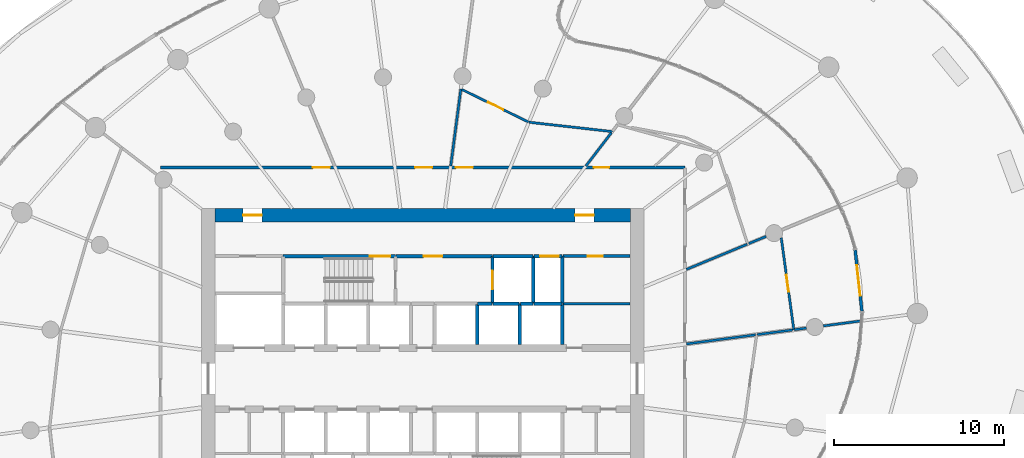
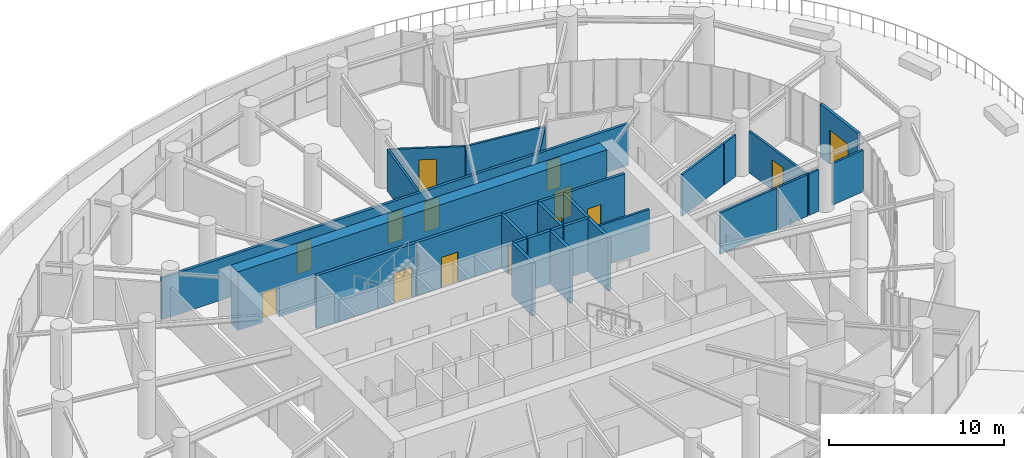
# One storey, part 18 of 24: 30 walls, 14 doors, 14 openings.
"""IFC4 building model written with IfcOpenShell, lengths in metres."""

import ifcopenshell
import ifcopenshell.guid

model = None  # the IFC model being written
_history = None  # IfcOwnerHistory: only IFC2X3 demands one
_inside = {}  # id of a spatial element -> (the spatial element, [elements in it])
_under = {}  # id of a project, library or spatial element -> (it, [spatial elements below it])
_declared = {}  # id of a project -> (the project, [libraries it declares])
_typed = {}  # id of a type object -> (the type object, [elements of that type])
_made_of = {}  # id of a material, layer set ... -> (it, [elements and type objects made of it])


def new_model(schema):
    """Start an empty IFC model of exactly this schema.

    Asked for "IFC4X3", IfcOpenShell would pick the latest addendum, in which some entities
    have other attributes; the version numbers below select the first issue.
    IFC2X3 requires an IfcOwnerHistory on every rooted entity: one is made here for all.
    """
    global model, _history
    if schema == "IFC4X3":
        model = ifcopenshell.file(schema_version=(4, 3, 0, 0))
    else:
        model = ifcopenshell.file(schema=schema)
    _inside.clear()
    _under.clear()
    _declared.clear()
    _typed.clear()
    _made_of.clear()
    _history = None
    if model.schema == "IFC2X3":
        org = make("IfcOrganization", Name="unknown")
        user = make(
            "IfcPersonAndOrganization",
            ThePerson=make("IfcPerson", FamilyName="unknown"),
            TheOrganization=org,
        )
        app = make(
            "IfcApplication",
            ApplicationDeveloper=org,
            Version="unknown",
            ApplicationFullName="unknown",
            ApplicationIdentifier="unknown",
        )
        _history = make(
            "IfcOwnerHistory",
            OwningUser=user,
            OwningApplication=app,
            ChangeAction="ADDED",
            CreationDate=0,
        )
    return model


def make(cls, **values):
    """One entity of the class cls with the attributes given. An attribute that is None is left unset."""
    return model.create_entity(
        cls, **{name: value for name, value in values.items() if value is not None}
    )


def rooted(cls, **values):
    """An entity with a GlobalId (a new one), such as an element, a storey or a relation."""
    return make(cls, GlobalId=ifcopenshell.guid.new(), OwnerHistory=_history, **values)


def si_unit(unit_type, name, prefix=None):
    """IfcSIUnit, for example si_unit("LENGTHUNIT", "METRE", prefix="MILLI")."""
    return make("IfcSIUnit", UnitType=unit_type, Prefix=prefix, Name=name)


def assignment(units):
    """IfcUnitAssignment: the units of a project."""
    return None if units is None else make("IfcUnitAssignment", Units=units)


def point(xyz):
    """IfcCartesianPoint."""
    return None if xyz is None else make("IfcCartesianPoint", Coordinates=xyz)


def direction(xyz):
    """IfcDirection."""
    return None if xyz is None else make("IfcDirection", DirectionRatios=xyz)


def frame(location, z_axis=None, x_axis=None):
    """IfcAxis2Placement3D, a coordinate frame: its origin and axes. An axis left out is left unset."""
    return make(
        "IfcAxis2Placement3D",
        Location=point(location),
        Axis=direction(z_axis),
        RefDirection=direction(x_axis),
    )


def frame_2d(location, x_axis=None):
    """IfcAxis2Placement2D, a coordinate frame in the plane: its origin and x axis."""
    return make(
        "IfcAxis2Placement2D", Location=point(location), RefDirection=direction(x_axis)
    )


def origin():
    """The frame at (0, 0, 0) with its axes left unset."""
    return frame((0.0, 0.0, 0.0))


def place(relative_to, where):
    """IfcLocalPlacement: puts the frame where relative to a parent placement (None: the world)."""
    return make(
        "IfcLocalPlacement", PlacementRelTo=relative_to, RelativePlacement=where
    )


def context(
    kind, dimensions, precision=None, world=None, true_north=None, identifier=None
):
    """IfcGeometricRepresentationContext, for example the 3D "Model" context."""
    return make(
        "IfcGeometricRepresentationContext",
        ContextIdentifier=identifier,
        ContextType=kind,
        CoordinateSpaceDimension=dimensions,
        Precision=precision,
        WorldCoordinateSystem=world,
        TrueNorth=true_north,
    )


def subcontext(parent, identifier, kind, view, scale=None):
    """IfcGeometricRepresentationSubContext, for example "Body" below "Model"."""
    return make(
        "IfcGeometricRepresentationSubContext",
        ContextIdentifier=identifier,
        ContextType=kind,
        ParentContext=parent,
        TargetScale=scale,
        TargetView=view,
    )


def project(units=None, contexts=None):
    """IfcProject with its units and contexts."""
    return rooted(
        "IfcProject",
        Name="project",
        RepresentationContexts=contexts,
        UnitsInContext=assignment(units),
    )


def spatial(cls, under=None, at=None, **own):
    """A site, building, storey or space (cls), placed at a placement, below another one or the project."""
    s = rooted(cls, ObjectPlacement=at, **own)
    if under is not None:
        _under.setdefault(under.id(), (under, []))[1].append(s)
    return s


def profile(cls, at=None, kind="AREA", **sizes):
    """A parametric profile (cls). Its sizes go by their IFC names, for example OverallWidth=200.0."""
    return make(cls, ProfileType=kind, Position=at, **sizes)


def rectangle(**sizes):
    """IfcRectangleProfileDef."""
    return profile("IfcRectangleProfileDef", **sizes)


def extrude(swept, where, along, depth):
    """IfcExtrudedAreaSolid: the profile swept, set in the frame where, extruded along a direction by depth."""
    return make(
        "IfcExtrudedAreaSolid",
        SweptArea=swept,
        Position=where,
        ExtrudedDirection=direction(along),
        Depth=depth,
    )


def shape(context_of_items, identifier, shape_type, items):
    """IfcShapeRepresentation: the items that make up one representation, for example the "Body"."""
    return make(
        "IfcShapeRepresentation",
        ContextOfItems=context_of_items,
        RepresentationIdentifier=identifier,
        RepresentationType=shape_type,
        Items=items,
    )


def source(mapping_origin, context_of_items, identifier, shape_type, items):
    """IfcRepresentationMap: a shape defined once, which mapped items show again and again."""
    return make(
        "IfcRepresentationMap",
        MappingOrigin=mapping_origin,
        MappedRepresentation=shape(context_of_items, identifier, shape_type, items),
    )


def transform(
    local_origin,
    x_axis=None,
    y_axis=None,
    z_axis=None,
    scale=None,
    scale2=None,
    scale3=None,
    uniform=True,
):
    """IfcCartesianTransformationOperator3D, or its non-uniform kind. x_axis, y_axis, z_axis: its Axis1, 2, 3."""
    if uniform:
        return make(
            "IfcCartesianTransformationOperator3D",
            Axis1=direction(x_axis),
            Axis2=direction(y_axis),
            LocalOrigin=point(local_origin),
            Scale=scale,
            Axis3=direction(z_axis),
        )
    return make(
        "IfcCartesianTransformationOperator3DnonUniform",
        Axis1=direction(x_axis),
        Axis2=direction(y_axis),
        LocalOrigin=point(local_origin),
        Scale=scale,
        Axis3=direction(z_axis),
        Scale2=scale2,
        Scale3=scale3,
    )


def mapped(mapping_source, mapping_target):
    """IfcMappedItem: shows the shape of a source again, moved by a transform."""
    return make(
        "IfcMappedItem", MappingSource=mapping_source, MappingTarget=mapping_target
    )


def material(Name=None, Category=None):
    """IfcMaterial."""
    return make("IfcMaterial", Name=Name, Category=Category)


def layer(
    of_material, thickness, ventilated=None, Name=None, Category=None, Priority=None
):
    """IfcMaterialLayer: one layer of a wall or slab, of a material (None: an air gap)."""
    return make(
        "IfcMaterialLayer",
        Material=of_material,
        LayerThickness=thickness,
        IsVentilated=ventilated,
        Name=Name,
        Category=Category,
        Priority=Priority,
    )


def layer_set(layers, Name=None):
    """IfcMaterialLayerSet."""
    return make("IfcMaterialLayerSet", MaterialLayers=layers, LayerSetName=Name)


def made_of(thing, what):
    """Note that an element or type object is made of a material, layer set ...; save() writes the relation."""
    if what is not None:
        _made_of.setdefault(what.id(), (what, []))[1].append(thing)
    return thing


def type_object(cls, material=None, **own):
    """A type object (cls), such as IfcWallType, which elements share."""
    return made_of(rooted(cls, **own), material)


def element(
    cls,
    number,
    at=None,
    inside=None,
    cuts=None,
    type_object=None,
    material=None,
    context=None,
    identifier="Body",
    shape_type=None,
    held_by="IfcProductDefinitionShape",
    body=None,
    shapes=None,
    **own,
):
    """One element of the class cls, such as IfcWall. Its Tag is "e" and its number.

    at: its placement. inside: the storey or other place that contains it. cuts: it is an
    opening in that element (IfcRelVoidsElement). A single representation is given by context,
    identifier, shape_type and body (its items); several are given by shapes. held_by: the class
    of the entity that holds the representations. save() writes the other relations.
    """
    e = rooted(cls, Tag="e%d" % number, ObjectPlacement=at, **own)
    if body is not None:
        shapes = [shape(context, identifier, shape_type, body)]
    if shapes is not None:
        e.Representation = make(held_by, Representations=shapes)
    if inside is not None:
        _inside.setdefault(inside.id(), (inside, []))[1].append(e)
    if cuts is not None:
        rooted(
            "IfcRelVoidsElement", RelatingBuildingElement=cuts, RelatedOpeningElement=e
        )
    if type_object is not None:
        _typed.setdefault(type_object.id(), (type_object, []))[1].append(e)
    return made_of(e, material)


def fill(opening, filler):
    """IfcRelFillsElement: the door or window that sits in an opening."""
    return rooted(
        "IfcRelFillsElement",
        RelatingOpeningElement=opening,
        RelatedBuildingElement=filler,
    )


def aggregate(whole, parts):
    """IfcRelAggregates: a whole, such as a stair, and the parts it consists of."""
    return rooted("IfcRelAggregates", RelatingObject=whole, RelatedObjects=parts)


def save(model, path):
    """Write the relations noted so far, then the file.

    IfcRelAggregates (storeys below a building ...), IfcRelContainedInSpatialStructure (elements
    in a storey), IfcRelDefinesByType, IfcRelAssociatesMaterial and IfcRelDeclares: one each for
    every whole, place, type object, material and project.
    """
    for whole, parts in _under.values():
        aggregate(whole, parts)
    for where, things in _inside.values():
        rooted(
            "IfcRelContainedInSpatialStructure",
            RelatedElements=things,
            RelatingStructure=where,
        )
    for kind, things in _typed.values():
        rooted("IfcRelDefinesByType", RelatedObjects=things, RelatingType=kind)
    for what, things in _made_of.values():
        rooted("IfcRelAssociatesMaterial", RelatedObjects=things, RelatingMaterial=what)
    for by, libraries in _declared.values():
        rooted("IfcRelDeclares", RelatingContext=by, RelatedDefinitions=libraries)
    model.write(path)


model = new_model("IFC4")

# Units and contexts
model_context = context("Model", 3, precision=1e-05, world=origin(), true_north=direction((0.0, 1.0)))
body_context = subcontext(model_context, "Body", "Model", "MODEL_VIEW")
ifc_project = project(units=[si_unit("LENGTHUNIT", "METRE"), si_unit("AREAUNIT", "SQUARE_METRE"), si_unit("VOLUMEUNIT", "CUBIC_METRE"), si_unit("PLANEANGLEUNIT", "RADIAN"), si_unit("MASSUNIT", "GRAM", prefix="KILO")], contexts=[model_context])

# Site, building, storey
site_placement = place(None, origin())
site = spatial("IfcSite", under=ifc_project, at=site_placement, CompositionType="ELEMENT")
building_placement = place(site_placement, origin())
building = spatial("IfcBuilding", under=site, at=building_placement, Name="Spindrift Exchange Tower", CompositionType="ELEMENT")
storey_placement = place(building_placement, frame((0.0, 0.0, 79.800048828125)))
storey = spatial("IfcBuildingStorey", under=building, at=storey_placement, Name="L18", CompositionType="ELEMENT", Elevation=79.800048828125)

# Wall, openings, doors
ifc_material_1 = material(Name="Concrete 65 MPa", Category="concrete")
ifc_layer_1 = layer(ifc_material_1, 0.800048828125)
ifc_layer_set_1 = layer_set([ifc_layer_1], Name="RC Core Wall 800 Concrete 65 MPa")
wall_type_1 = type_object("IfcWallType", Name="RC Core Wall 800 Concrete 65 MPa", PredefinedType="SHEAR", material=ifc_layer_set_1)
wall_1_placement = place(storey_placement, frame((64.199951171875, 57.60009765625, 0.0), z_axis=(0.0, 0.0, 1.0), x_axis=(-1.0, 0.0, 0.0)))
wall_1 = element("IfcWall", 1, at=wall_1_placement, inside=storey, type_object=wall_type_1, Name="Core wall N L18", PredefinedType="SHEAR", context=body_context, shape_type="SweptSolid", body=[
    extrude(rectangle(XDim=24.39990234375, YDim=0.800048828125, at=frame_2d((12.199951171875, 0.0))), origin(), (0.0, 0.0, 1.0), 4.099853515625),
])
opening_1_placement = place(wall_1_placement, frame((21.64990234375, 0.0, 0.0)))
opening_1 = element("IfcOpeningElement", 2, at=opening_1_placement, cuts=wall_1, Name="Opening L18-D20", PredefinedType="OPENING", context=body_context, shape_type="SweptSolid", body=[
    extrude(rectangle(XDim=1.10009765625, YDim=2.10009765625, at=frame_2d((0.550048828125, 1.050048828125))), frame((0.0, 0.409912109375, 0.0), z_axis=(0.0, -1.0, 0.0), x_axis=(1.0, 0.0, 0.0)), (0.0, 0.0, 1.0), 0.820068359375),
])
opening_2_placement = place(wall_1_placement, frame((2.14990234375, 0.0, 0.0)))
opening_2 = element("IfcOpeningElement", 3, at=opening_2_placement, cuts=wall_1, Name="Opening L18-D21", PredefinedType="OPENING", context=body_context, shape_type="SweptSolid", body=[
    extrude(rectangle(XDim=1.10009765625, YDim=2.10009765625, at=frame_2d((0.550048828125, 1.050048828125))), frame((0.0, 0.409912109375, 0.0), z_axis=(0.0, -1.0, 0.0), x_axis=(1.0, 0.0, 0.0)), (0.0, 0.0, 1.0), 0.820068359375),
])
ifc_material_2 = material(Name="Steel fire door", Category="steel")
door_type_1 = type_object("IfcDoorType", Name="DR-STAIR-1100", OperationType="NOTDEFINED", PredefinedType="DOOR", material=ifc_material_2)
shared_shape_1 = source(origin(), body_context, "Body", "SweptSolid", [
    extrude(rectangle(XDim=1.10009765625, YDim=2.10009765625, at=frame_2d((0.550048828125, 1.050048828125))), frame((0.0, 0.02490234375, 0.0), z_axis=(0.0, -1.0, 0.0), x_axis=(1.0, 0.0, 0.0)), (0.0, 0.0, 1.0), 0.050048828125),
])
door_1_placement = place(opening_1_placement, origin())
door_1 = element("IfcDoor", 4, at=door_1_placement, inside=storey, type_object=door_type_1, Name="L18 Stair door 20", OperationType="SINGLE_SWING_LEFT", OverallHeight=2.10009765625, OverallWidth=1.10009765625, PredefinedType="DOOR", context=body_context, shape_type="MappedRepresentation", body=[
    mapped(shared_shape_1, transform((0.0, 0.0, 0.0), scale=1.0)),
])
fill(opening_1, door_1)
door_2_placement = place(opening_2_placement, origin())
door_2 = element("IfcDoor", 5, at=door_2_placement, inside=storey, type_object=door_type_1, Name="L18 Stair door 21", OperationType="SINGLE_SWING_RIGHT", OverallHeight=2.10009765625, OverallWidth=1.10009765625, PredefinedType="DOOR", context=body_context, shape_type="MappedRepresentation", body=[
    mapped(shared_shape_1, transform((0.0, 0.0, 0.0), scale=1.0)),
])
fill(opening_2, door_2)

# Wall, opening, door
ifc_material_3 = material(Name="Bronze anodised aluminium frame with fritted laminated glass spandrel", Category="aluminium")
ifc_layer_2 = layer(ifc_material_3, 0.179931640625)
ifc_layer_set_2 = layer_set([ifc_layer_2], Name="UNITISED FRAME WALL")
wall_type_2 = type_object("IfcWallType", Name="UNITISED FRAME WALL", PredefinedType="STANDARD", material=ifc_layer_set_2)
wall_2_placement = place(storey_placement, frame((77.7998046875, 51.961181640625, 0.0), z_axis=(0.0, 0.0, 1.0), x_axis=(-0.10929323905, 0.994009551211, 0.0)))
wall_2 = element("IfcWall", 6, at=wall_2_placement, inside=storey, type_object=wall_type_2, Name="L18 Frame Wall 52", PredefinedType="STANDARD", context=body_context, shape_type="SweptSolid", body=[
    extrude(rectangle(XDim=3.62548828125, YDim=0.179931640625, at=frame_2d((1.812744140625, 0.0))), origin(), (0.0, 0.0, 1.0), 3.699951171875),
])
opening_3_placement = place(wall_2_placement, frame((0.91259765625, 0.0, 0.0)))
opening_3 = element("IfcOpeningElement", 7, at=opening_3_placement, cuts=wall_2, Name="Opening ED18-1", PredefinedType="OPENING", context=body_context, shape_type="SweptSolid", body=[
    extrude(rectangle(XDim=1.800048828125, YDim=2.39990234375, at=frame_2d((0.89990234375, 1.199951171875))), frame((0.0, 0.099853515625, 0.0), z_axis=(0.0, -1.0, 0.0), x_axis=(1.0, 0.0, 0.0)), (0.0, 0.0, 1.0), 0.199951171875),
])
ifc_material_4 = material(Name="Toughened laminated glass in bronze frame", Category="glass")
door_type_2 = type_object("IfcDoorType", Name="TERRACE GLASS DOOR 1800X2400", OperationType="DOUBLE_DOOR_SINGLE_SWING", PredefinedType="DOOR", material=ifc_material_4)
shared_shape_2 = source(origin(), body_context, "Body", "SweptSolid", [
    extrude(rectangle(XDim=1.800048828125, YDim=2.39990234375, at=frame_2d((0.89990234375, 1.199951171875))), frame((0.0, 0.02490234375, 0.0), z_axis=(0.0, -1.0, 0.0), x_axis=(1.0, 0.0, 0.0)), (0.0, 0.0, 1.0), 0.050048828125),
])
door_3_placement = place(opening_3_placement, origin())
door_3 = element("IfcDoor", 8, at=door_3_placement, inside=storey, type_object=door_type_2, Name="L18 Terrace Glass Door ED18-1", OperationType="DOUBLE_DOOR_SINGLE_SWING", OverallHeight=2.39990234375, OverallWidth=1.800048828125, PredefinedType="DOOR", context=body_context, shape_type="MappedRepresentation", body=[
    mapped(shared_shape_2, transform((0.0, 0.0, 0.0), scale=1.0)),
])
fill(opening_3, door_3)

ifc_material_5 = material(Name="Fire-rated plasterboard partition", Category="gypsum")
ifc_layer_3 = layer(ifc_material_5, 0.179931640625)
ifc_layer_set_3 = layer_set([ifc_layer_3], Name="W-CORR-180")
wall_type_3 = type_object("IfcWallType", Name="W-CORR-180", PredefinedType="PARTITIONING", material=ifc_layer_set_3)
wall_3_placement = place(storey_placement, frame((64.179931640625, 55.199951171875, 0.0), z_axis=(0.0, 0.0, 1.0), x_axis=(-1.0, 0.0, 0.0)))
wall_3 = element("IfcWall", 9, at=wall_3_placement, inside=storey, type_object=wall_type_3, Name="L18 Partition wall 62", PredefinedType="PARTITIONING", context=body_context, shape_type="SweptSolid", body=[
    extrude(rectangle(XDim=3.949951171875, YDim=0.179931640625, at=frame_2d((1.97509765625, 0.0))), origin(), (0.0, 0.0, 1.0), 3.699951171875),
])
opening_4_placement = place(wall_3_placement, frame((1.60009765625, 0.0, 0.0)))
opening_4 = element("IfcOpeningElement", 10, at=opening_4_placement, cuts=wall_3, Name="Opening L18-D50", PredefinedType="OPENING", context=body_context, shape_type="SweptSolid", body=[
    extrude(rectangle(XDim=0.89990234375, YDim=2.10009765625, at=frame_2d((0.449951171875, 1.050048828125))), frame((0.0, 0.099853515625, 0.0), z_axis=(0.0, -1.0, 0.0), x_axis=(1.0, 0.0, 0.0)), (0.0, 0.0, 1.0), 0.199951171875),
])
ifc_material_6 = material(Name="Steel access door", Category="steel")
door_type_3 = type_object("IfcDoorType", Name="DR-RISER-900", OperationType="NOTDEFINED", PredefinedType="DOOR", material=ifc_material_6)
shared_shape_3 = source(origin(), body_context, "Body", "SweptSolid", [
    extrude(rectangle(XDim=0.89990234375, YDim=2.10009765625, at=frame_2d((0.449951171875, 1.050048828125))), frame((0.0, 0.02490234375, 0.0), z_axis=(0.0, -1.0, 0.0), x_axis=(1.0, 0.0, 0.0)), (0.0, 0.0, 1.0), 0.050048828125),
])
door_4_placement = place(opening_4_placement, origin())
door_4 = element("IfcDoor", 11, at=door_4_placement, inside=storey, type_object=door_type_3, Name="L18 Riser door 50", OperationType="SINGLE_SWING_LEFT", OverallHeight=2.10009765625, OverallWidth=0.89990234375, PredefinedType="DOOR", context=body_context, shape_type="MappedRepresentation", body=[
    mapped(shared_shape_3, transform((0.0, 0.0, 0.0), scale=1.0)),
])
fill(opening_4, door_4)

ifc_layer_4 = layer(ifc_material_5, 0.139892578125)
ifc_layer_set_4 = layer_set([ifc_layer_4], Name="W-PART-140")
wall_type_4 = type_object("IfcWallType", Name="W-PART-140", PredefinedType="PARTITIONING", material=ifc_layer_set_4)
wall_4_placement = place(storey_placement, frame((73.062744140625, 56.2744140625, 0.0), z_axis=(0.0, 0.0, 1.0), x_axis=(0.135089235219, -0.990833436319, 0.0)))
wall_4 = element("IfcWall", 12, at=wall_4_placement, inside=storey, type_object=wall_type_4, Name="L18 Partition wall 81", PredefinedType="PARTITIONING", context=body_context, shape_type="SweptSolid", body=[
    extrude(rectangle(XDim=5.454345703125, YDim=0.139892578125, at=frame_2d((2.72705078125, 0.0))), origin(), (0.0, 0.0, 1.0), 2.89990234375),
])
opening_5_placement = place(wall_4_placement, frame((2.204345703125, 0.0, 0.0)))
opening_5 = element("IfcOpeningElement", 13, at=opening_5_placement, cuts=wall_4, Name="Opening L18-D25", PredefinedType="OPENING", context=body_context, shape_type="SweptSolid", body=[
    extrude(rectangle(XDim=1.0, YDim=2.10009765625, at=frame_2d((0.5, 1.050048828125))), frame((0.0, 0.079833984375, 0.0), z_axis=(0.0, -1.0, 0.0), x_axis=(1.0, 0.0, 0.0)), (0.0, 0.0, 1.0), 0.159912109375),
])
ifc_material_7 = material(Name="Timber-core fire door", Category="wood")
door_type_4 = type_object("IfcDoorType", Name="DR-ROOM-1000", OperationType="NOTDEFINED", PredefinedType="DOOR", material=ifc_material_7)
shared_shape_4 = source(origin(), body_context, "Body", "SweptSolid", [
    extrude(rectangle(XDim=1.0, YDim=2.10009765625, at=frame_2d((0.5, 1.050048828125))), frame((0.0, 0.02490234375, 0.0), z_axis=(0.0, -1.0, 0.0), x_axis=(1.0, 0.0, 0.0)), (0.0, 0.0, 1.0), 0.050048828125),
])
door_5_placement = place(opening_5_placement, origin())
door_5 = element("IfcDoor", 14, at=door_5_placement, inside=storey, type_object=door_type_4, Name="L18 Door 25", OperationType="SINGLE_SWING_RIGHT", OverallHeight=2.10009765625, OverallWidth=1.0, PredefinedType="DOOR", context=body_context, shape_type="MappedRepresentation", body=[
    mapped(shared_shape_4, transform((0.0, 0.0, 0.0), scale=1.0)),
])
fill(opening_5, door_5)

# Wall
wall_5_placement = place(storey_placement, frame((63.13623046875, 62.51318359375, 0.0), z_axis=(0.0, 0.0, 1.0), x_axis=(-0.993761689461, 0.111524457223, 0.0)))
element("IfcWall", 15, at=wall_5_placement, inside=storey, type_object=wall_type_4, Name="L18 Partition wall 85", PredefinedType="PARTITIONING", context=body_context, shape_type="SweptSolid", body=[
    extrude(rectangle(XDim=4.927734375, YDim=0.139892578125, at=frame_2d((2.4638671875, 0.0))), origin(), (0.0, 0.0, 1.0), 2.89990234375),
])

# Wall, opening, door
wall_6_placement = place(storey_placement, frame((54.306396484375, 64.982177734375, 0.0), z_axis=(0.0, 0.0, 1.0), x_axis=(0.898688532704, -0.438587415673, 0.0)))
wall_6 = element("IfcWall", 16, at=wall_6_placement, inside=storey, type_object=wall_type_4, Name="L18 Partition wall 89", PredefinedType="PARTITIONING", context=body_context, shape_type="SweptSolid", body=[
    extrude(rectangle(XDim=4.346435546875, YDim=0.139892578125, at=frame_2d((2.17333984375, 0.0))), origin(), (0.0, 0.0, 1.0), 2.89990234375),
])
opening_6_placement = place(wall_6_placement, frame((1.6962890625, 0.0, 0.0)))
opening_6 = element("IfcOpeningElement", 17, at=opening_6_placement, cuts=wall_6, Name="Opening L18-D30", PredefinedType="OPENING", context=body_context, shape_type="SweptSolid", body=[
    extrude(rectangle(XDim=1.0, YDim=2.10009765625, at=frame_2d((0.5, 1.050048828125))), frame((0.0, 0.079833984375, 0.0), z_axis=(0.0, -1.0, 0.0), x_axis=(1.0, 0.0, 0.0)), (0.0, 0.0, 1.0), 0.159912109375),
])
door_6_placement = place(opening_6_placement, origin())
door_6 = element("IfcDoor", 18, at=door_6_placement, inside=storey, type_object=door_type_4, Name="L18 Door 30", OperationType="SINGLE_SWING_LEFT", OverallHeight=2.10009765625, OverallWidth=1.0, PredefinedType="DOOR", context=body_context, shape_type="MappedRepresentation", body=[
    mapped(shared_shape_4, transform((0.0, 0.0, 0.0), scale=1.0)),
])
fill(opening_6, door_6)

# Walls
wall_7_placement = place(storey_placement, frame((67.489990234375, 50.039306640625, 0.0), z_axis=(0.0, 0.0, 1.0), x_axis=(0.991443931676, 0.130533253782, 0.0)))
element("IfcWall", 19, at=wall_7_placement, inside=storey, type_object=wall_type_4, Name="L18 Partition wall 90", PredefinedType="PARTITIONING", context=body_context, shape_type="SweptSolid", body=[
    extrude(rectangle(XDim=4.09033203125, YDim=0.139892578125, at=frame_2d((2.045166015625, 0.0))), origin(), (0.0, 0.0, 1.0), 2.89990234375),
])
wall_8_placement = place(storey_placement, frame((67.489990234375, 54.416259765625, 0.0), z_axis=(0.0, 0.0, 1.0), x_axis=(0.92389520363, 0.382645596745, 0.0)))
element("IfcWall", 20, at=wall_8_placement, inside=storey, type_object=wall_type_4, Name="L18 Partition wall 91", PredefinedType="PARTITIONING", context=body_context, shape_type="SweptSolid", body=[
    extrude(rectangle(XDim=3.865234375, YDim=0.139892578125, at=frame_2d((1.9326171875, 0.0))), origin(), (0.0, 0.0, 1.0), 2.89990234375),
])
wall_9_placement = place(storey_placement, frame((64.179931640625, 52.39990234375, 0.0), z_axis=(0.0, 0.0, 1.0), x_axis=(-1.0, 0.0, 0.0)))
element("IfcWall", 21, at=wall_9_placement, inside=storey, type_object=wall_type_4, Name="L18 Partition wall 92", PredefinedType="PARTITIONING", context=body_context, shape_type="SweptSolid", body=[
    extrude(rectangle(XDim=3.949951171875, YDim=0.139892578125, at=frame_2d((1.97509765625, 0.0))), origin(), (0.0, 0.0, 1.0), 2.89990234375),
])
wall_10_placement = place(storey_placement, frame((61.583984375, 60.489990234375, 0.0), z_axis=(0.0, 0.0, 1.0), x_axis=(0.608715994439, 0.793388201396, 0.0)))
element("IfcWall", 22, at=wall_10_placement, inside=storey, type_object=wall_type_4, Name="L18 Partition wall 99", PredefinedType="PARTITIONING", context=body_context, shape_type="SweptSolid", body=[
    extrude(rectangle(XDim=2.46826171875, YDim=0.139892578125, at=frame_2d((1.234130859375, 0.0))), origin(), (0.0, 0.0, 1.0), 2.89990234375),
])
wall_11_placement = place(storey_placement, frame((75.533935546875, 51.098388671875, 0.0), z_axis=(0.0, 0.0, 1.0), x_axis=(0.991455425265, 0.130445926391, 0.0)))
element("IfcWall", 23, at=wall_11_placement, inside=storey, type_object=wall_type_4, Name="L18 Partition wall 103", PredefinedType="PARTITIONING", context=body_context, shape_type="SweptSolid", body=[
    extrude(rectangle(XDim=2.20654296875, YDim=0.139892578125, at=frame_2d((1.103271484375, 0.0))), origin(), (0.0, 0.0, 1.0), 2.89990234375),
])
wall_12_placement = place(storey_placement, frame((71.647216796875, 50.586669921875, 0.0), z_axis=(0.0, 0.0, 1.0), x_axis=(0.991446778165, 0.130511631917, 0.0)))
element("IfcWall", 24, at=wall_12_placement, inside=storey, type_object=wall_type_4, Name="L18 Partition wall 104", PredefinedType="PARTITIONING", context=body_context, shape_type="SweptSolid", body=[
    extrude(rectangle(XDim=2.100830078125, YDim=0.139892578125, at=frame_2d((1.05029296875, 0.0))), origin(), (0.0, 0.0, 1.0), 2.89990234375),
])
wall_13_placement = place(storey_placement, frame((71.153564453125, 55.93359375, 0.0), z_axis=(0.0, 0.0, 1.0), x_axis=(0.923873851787, 0.382697146559, 0.0)))
element("IfcWall", 25, at=wall_13_placement, inside=storey, type_object=wall_type_4, Name="L18 Partition wall 116", PredefinedType="PARTITIONING", context=body_context, shape_type="SweptSolid", body=[
    extrude(rectangle(XDim=1.10302734375, YDim=0.139892578125, at=frame_2d((0.551513671875, 0.0))), origin(), (0.0, 0.0, 1.0), 2.89990234375),
])
wall_14_placement = place(storey_placement, frame((73.829345703125, 50.873779296875, 0.0), z_axis=(0.0, 0.0, 1.0), x_axis=(0.991436741362, 0.130587855015, 0.0)))
element("IfcWall", 26, at=wall_14_placement, inside=storey, type_object=wall_type_4, Name="L18 Partition wall 125", PredefinedType="PARTITIONING", context=body_context, shape_type="SweptSolid", body=[
    extrude(rectangle(XDim=0.71044921875, YDim=0.139892578125, at=frame_2d((0.355224609375, 0.0))), origin(), (0.0, 0.0, 1.0), 2.89990234375),
])
ifc_layer_5 = layer(ifc_material_5, 0.139892578125)
ifc_layer_set_5 = layer_set([ifc_layer_5], Name="W-PLANT-140")
wall_type_5 = type_object("IfcWallType", Name="W-PLANT-140", PredefinedType="PARTITIONING", material=ifc_layer_set_5)
wall_15_placement = place(storey_placement, frame((53.644287109375, 60.489990234375, 0.0), z_axis=(0.0, 0.0, 1.0), x_axis=(0.130530623125, 0.991444278024, 0.0)))
element("IfcWall", 27, at=wall_15_placement, inside=storey, type_object=wall_type_5, Name="L18 Partition wall 87", PredefinedType="PARTITIONING", context=body_context, shape_type="SweptSolid", body=[
    extrude(rectangle(XDim=4.563720703125, YDim=0.139892578125, at=frame_2d((2.28173828125, 0.0))), origin(), (0.0, 0.0, 1.0), 2.89990234375),
])

# Wall, openings, doors
ifc_layer_6 = layer(ifc_material_5, 0.179931640625)
ifc_layer_set_6 = layer_set([ifc_layer_6], Name="W-PLANT-180")
wall_type_6 = type_object("IfcWallType", Name="W-PLANT-180", PredefinedType="PARTITIONING", material=ifc_layer_set_6)
wall_16_placement = place(storey_placement, frame((36.60009765625, 60.39990234375, 0.0), z_axis=(0.0, 0.0, 1.0), x_axis=(1.0, 0.0, 0.0)))
wall_16 = element("IfcWall", 28, at=wall_16_placement, inside=storey, type_object=wall_type_6, Name="L18 Partition wall 58", PredefinedType="PARTITIONING", context=body_context, shape_type="SweptSolid", body=[
    extrude(rectangle(XDim=30.7998046875, YDim=0.179931640625, at=frame_2d((15.39990234375, 0.0))), origin(), (0.0, 0.0, 1.0), 2.89990234375),
])
opening_7_placement = place(wall_16_placement, frame((25.449951171875, 0.0, 0.0)))
opening_7 = element("IfcOpeningElement", 29, at=opening_7_placement, cuts=wall_16, Name="Opening L18-D28", PredefinedType="OPENING", context=body_context, shape_type="SweptSolid", body=[
    extrude(rectangle(XDim=0.89990234375, YDim=2.10009765625, at=frame_2d((0.449951171875, 1.050048828125))), frame((0.0, 0.099853515625, 0.0), z_axis=(0.0, -1.0, 0.0), x_axis=(1.0, 0.0, 0.0)), (0.0, 0.0, 1.0), 0.199951171875),
])
opening_8_placement = place(wall_16_placement, frame((17.35009765625, 0.0, 0.0)))
opening_8 = element("IfcOpeningElement", 30, at=opening_8_placement, cuts=wall_16, Name="Opening L18-D29", PredefinedType="OPENING", context=body_context, shape_type="SweptSolid", body=[
    extrude(rectangle(XDim=1.0, YDim=2.10009765625, at=frame_2d((0.5, 1.050048828125))), frame((0.0, 0.099853515625, 0.0), z_axis=(0.0, -1.0, 0.0), x_axis=(1.0, 0.0, 0.0)), (0.0, 0.0, 1.0), 0.199951171875),
])
opening_9_placement = place(wall_16_placement, frame((14.949951171875, 0.0, 0.0)))
opening_9 = element("IfcOpeningElement", 31, at=opening_9_placement, cuts=wall_16, Name="Opening L18-D32", PredefinedType="OPENING", context=body_context, shape_type="SweptSolid", body=[
    extrude(rectangle(XDim=1.0, YDim=2.10009765625, at=frame_2d((0.5, 1.050048828125))), frame((0.0, 0.099853515625, 0.0), z_axis=(0.0, -1.0, 0.0), x_axis=(1.0, 0.0, 0.0)), (0.0, 0.0, 1.0), 0.199951171875),
])
opening_10_placement = place(wall_16_placement, frame((8.949951171875, 0.0, 0.0)))
opening_10 = element("IfcOpeningElement", 32, at=opening_10_placement, cuts=wall_16, Name="Opening L18-D33", PredefinedType="OPENING", context=body_context, shape_type="SweptSolid", body=[
    extrude(rectangle(XDim=1.0, YDim=2.10009765625, at=frame_2d((0.5, 1.050048828125))), frame((0.0, 0.099853515625, 0.0), z_axis=(0.0, -1.0, 0.0), x_axis=(1.0, 0.0, 0.0)), (0.0, 0.0, 1.0), 0.199951171875),
])
door_7_placement = place(opening_8_placement, origin())
door_7 = element("IfcDoor", 33, at=door_7_placement, inside=storey, type_object=door_type_4, Name="L18 Door 29", OperationType="SINGLE_SWING_RIGHT", OverallHeight=2.10009765625, OverallWidth=1.0, PredefinedType="DOOR", context=body_context, shape_type="MappedRepresentation", body=[
    mapped(shared_shape_4, transform((0.0, 0.0, 0.0), scale=1.0)),
])
fill(opening_8, door_7)
door_8_placement = place(opening_9_placement, origin())
door_8 = element("IfcDoor", 34, at=door_8_placement, inside=storey, type_object=door_type_4, Name="L18 Door 32", OperationType="SINGLE_SWING_LEFT", OverallHeight=2.10009765625, OverallWidth=1.0, PredefinedType="DOOR", context=body_context, shape_type="MappedRepresentation", body=[
    mapped(shared_shape_4, transform((0.0, 0.0, 0.0), scale=1.0)),
])
fill(opening_9, door_8)
door_9_placement = place(opening_10_placement, origin())
door_9 = element("IfcDoor", 35, at=door_9_placement, inside=storey, type_object=door_type_4, Name="L18 Door 33", OperationType="SINGLE_SWING_RIGHT", OverallHeight=2.10009765625, OverallWidth=1.0, PredefinedType="DOOR", context=body_context, shape_type="MappedRepresentation", body=[
    mapped(shared_shape_4, transform((0.0, 0.0, 0.0), scale=1.0)),
])
fill(opening_10, door_9)
ifc_material_8 = material(Name="Laminate washroom door", Category="wood")
door_type_5 = type_object("IfcDoorType", Name="DR-WC-900", OperationType="NOTDEFINED", PredefinedType="DOOR", material=ifc_material_8)
shared_shape_5 = source(origin(), body_context, "Body", "SweptSolid", [
    extrude(rectangle(XDim=0.89990234375, YDim=2.10009765625, at=frame_2d((0.449951171875, 1.050048828125))), frame((0.0, 0.02490234375, 0.0), z_axis=(0.0, -1.0, 0.0), x_axis=(1.0, 0.0, 0.0)), (0.0, 0.0, 1.0), 0.050048828125),
])
door_10_placement = place(opening_7_placement, origin())
door_10 = element("IfcDoor", 36, at=door_10_placement, inside=storey, type_object=door_type_5, Name="L18 WC door 28", OperationType="SINGLE_SWING_LEFT", OverallHeight=2.10009765625, OverallWidth=0.89990234375, PredefinedType="DOOR", context=body_context, shape_type="MappedRepresentation", body=[
    mapped(shared_shape_5, transform((0.0, 0.0, 0.0), scale=1.0)),
])
fill(opening_7, door_10)

# Wall, opening, door
ifc_material_9 = material(Name="Concrete 40 MPa", Category="concrete")
ifc_layer_7 = layer(ifc_material_9, 0.199951171875)
ifc_layer_set_7 = layer_set([ifc_layer_7], Name="W-SHAFT-200")
wall_type_7 = type_object("IfcWallType", Name="W-SHAFT-200", PredefinedType="SOLIDWALL", material=ifc_layer_set_7)
wall_17_placement = place(storey_placement, frame((56.10009765625, 55.169921875, 0.0), z_axis=(0.0, 0.0, 1.0), x_axis=(0.0, -1.0, 0.0)))
wall_17 = element("IfcWall", 37, at=wall_17_placement, inside=storey, type_object=wall_type_7, Name="L18 Shaft wall 12", PredefinedType="SOLIDWALL", context=body_context, shape_type="SweptSolid", body=[
    extrude(rectangle(XDim=2.77001953125, YDim=0.199951171875, at=frame_2d((1.385009765625, 0.0))), origin(), (0.0, 0.0, 1.0), 3.699951171875),
])
opening_11_placement = place(wall_17_placement, frame((0.820068359375, 0.0, 0.0)))
opening_11 = element("IfcOpeningElement", 38, at=opening_11_placement, cuts=wall_17, Name="Opening L18-D9", PredefinedType="OPENING", context=body_context, shape_type="SweptSolid", body=[
    extrude(rectangle(XDim=1.10009765625, YDim=2.10009765625, at=frame_2d((0.550048828125, 1.050048828125))), frame((0.0, 0.10986328125, 0.0), z_axis=(0.0, -1.0, 0.0), x_axis=(1.0, 0.0, 0.0)), (0.0, 0.0, 1.0), 0.219970703125),
])
ifc_material_10 = material(Name="Stainless steel landing door", Category="steel")
door_type_6 = type_object("IfcDoorType", Name="DR-LANDING-1100-SL", OperationType="DOUBLE_DOOR_SLIDING", PredefinedType="USERDEFINED", material=ifc_material_10)
shared_shape_6 = source(origin(), body_context, "Body", "SweptSolid", [
    extrude(rectangle(XDim=1.10009765625, YDim=2.10009765625, at=frame_2d((0.550048828125, 1.050048828125))), frame((0.0, 0.02490234375, 0.0), z_axis=(0.0, -1.0, 0.0), x_axis=(1.0, 0.0, 0.0)), (0.0, 0.0, 1.0), 0.050048828125),
])
door_11_placement = place(opening_11_placement, origin())
door_11 = element("IfcDoor", 39, at=door_11_placement, inside=storey, type_object=door_type_6, Name="L18 Lift landing door 9", ObjectType="LANDING DOOR", OperationType="DOUBLE_DOOR_SLIDING", OverallHeight=2.10009765625, OverallWidth=1.10009765625, PredefinedType="USERDEFINED", context=body_context, shape_type="MappedRepresentation", body=[
    mapped(shared_shape_6, transform((0.0, 0.0, 0.0), scale=1.0)),
])
fill(opening_11, door_11)

# Walls
for number, where, z_axis, x_axis, name in (
    (40, (58.5, 52.39990234375, 0.0), (0.0, 0.0, 1.0), (0.0, 1.0, 0.0), "L18 Shaft wall 13"),
    (41, (60.199951171875, 52.39990234375, 0.0), (0.0, 0.0, 1.0), (0.0, 1.0, 0.0), "L18 Shaft wall 14"),
):
    element("IfcWall", number, at=place(storey_placement, frame(where, z_axis=z_axis, x_axis=x_axis)), inside=storey, type_object=wall_type_7, Name=name, PredefinedType="SOLIDWALL", context=body_context, shape_type="SweptSolid", body=[
        extrude(rectangle(XDim=2.800048828125, YDim=0.199951171875, at=frame_2d((1.39990234375, 0.0))), origin(), (0.0, 0.0, 1.0), 3.699951171875),
    ])
wall_18_placement = place(storey_placement, frame((58.469970703125, 55.199951171875, 0.0), z_axis=(0.0, 0.0, 1.0), x_axis=(-1.0, 0.0, 0.0)))
element("IfcWall", 42, at=wall_18_placement, inside=storey, type_object=wall_type_7, Name="L18 Shaft wall 22", PredefinedType="SOLIDWALL", context=body_context, shape_type="SweptSolid", body=[
    extrude(rectangle(XDim=2.340087890625, YDim=0.199951171875, at=frame_2d((1.169921875, 0.0))), origin(), (0.0, 0.0, 1.0), 3.699951171875),
])
wall_19_placement = place(storey_placement, frame((55.199951171875, 50.010009765625, 0.0), z_axis=(0.0, 0.0, 1.0), x_axis=(0.0, 1.0, 0.0)))
element("IfcWall", 43, at=wall_19_placement, inside=storey, type_object=wall_type_7, Name="L18 Shaft wall 34", PredefinedType="SOLIDWALL", context=body_context, shape_type="SweptSolid", body=[
    extrude(rectangle(XDim=2.360107421875, YDim=0.199951171875, at=frame_2d((1.18017578125, 0.0))), origin(), (0.0, 0.0, 1.0), 3.699951171875),
])
wall_20_placement = place(storey_placement, frame((57.699951171875, 50.010009765625, 0.0), z_axis=(0.0, 0.0, 1.0), x_axis=(0.0, 1.0, 0.0)))
element("IfcWall", 44, at=wall_20_placement, inside=storey, type_object=wall_type_7, Name="L18 Shaft wall 36", PredefinedType="SOLIDWALL", context=body_context, shape_type="SweptSolid", body=[
    extrude(rectangle(XDim=2.389892578125, YDim=0.199951171875, at=frame_2d((1.19482421875, 0.0))), origin(), (0.0, 0.0, 1.0), 3.699951171875),
])
wall_21_placement = place(storey_placement, frame((60.199951171875, 50.010009765625, 0.0), z_axis=(0.0, 0.0, 1.0), x_axis=(0.0, 1.0, 0.0)))
element("IfcWall", 45, at=wall_21_placement, inside=storey, type_object=wall_type_7, Name="L18 Shaft wall 38", PredefinedType="SOLIDWALL", context=body_context, shape_type="SweptSolid", body=[
    extrude(rectangle(XDim=2.360107421875, YDim=0.199951171875, at=frame_2d((1.18017578125, 0.0))), origin(), (0.0, 0.0, 1.0), 3.699951171875),
])
wall_22_placement = place(storey_placement, frame((60.169921875, 52.39990234375, 0.0), z_axis=(0.0, 0.0, 1.0), x_axis=(-1.0, 0.0, 0.0)))
element("IfcWall", 46, at=wall_22_placement, inside=storey, type_object=wall_type_7, Name="L18 Shaft wall 42", PredefinedType="SOLIDWALL", context=body_context, shape_type="SweptSolid", body=[
    extrude(rectangle(XDim=1.639892578125, YDim=0.199951171875, at=frame_2d((0.81982421875, 0.0))), origin(), (0.0, 0.0, 1.0), 3.699951171875),
])

# Wall, opening, door
wall_23_placement = place(storey_placement, frame((60.169921875, 55.199951171875, 0.0), z_axis=(0.0, 0.0, 1.0), x_axis=(-1.0, 0.0, 0.0)))
wall_23 = element("IfcWall", 47, at=wall_23_placement, inside=storey, type_object=wall_type_7, Name="L18 Shaft wall 43", PredefinedType="SOLIDWALL", context=body_context, shape_type="SweptSolid", body=[
    extrude(rectangle(XDim=1.639892578125, YDim=0.199951171875, at=frame_2d((0.81982421875, 0.0))), origin(), (0.0, 0.0, 1.0), 3.699951171875),
])
opening_12_placement = place(wall_23_placement, frame((0.169921875, 0.0, 0.0)))
opening_12 = element("IfcOpeningElement", 48, at=opening_12_placement, cuts=wall_23, Name="Opening L18-D11", PredefinedType="OPENING", context=body_context, shape_type="SweptSolid", body=[
    extrude(rectangle(XDim=1.10009765625, YDim=2.10009765625, at=frame_2d((0.550048828125, 1.050048828125))), frame((0.0, 0.10986328125, 0.0), z_axis=(0.0, -1.0, 0.0), x_axis=(1.0, 0.0, 0.0)), (0.0, 0.0, 1.0), 0.219970703125),
])
door_12_placement = place(opening_12_placement, origin())
door_12 = element("IfcDoor", 49, at=door_12_placement, inside=storey, type_object=door_type_6, Name="L18 Lift landing door 11", ObjectType="LANDING DOOR", OperationType="DOUBLE_DOOR_SLIDING", OverallHeight=2.10009765625, OverallWidth=1.10009765625, PredefinedType="USERDEFINED", context=body_context, shape_type="MappedRepresentation", body=[
    mapped(shared_shape_6, transform((0.0, 0.0, 0.0), scale=1.0)),
])
fill(opening_12, door_12)

# Walls
wall_24_placement = place(storey_placement, frame((57.669921875, 52.39990234375, 0.0), z_axis=(0.0, 0.0, 1.0), x_axis=(-1.0, 0.0, 0.0)))
element("IfcWall", 50, at=wall_24_placement, inside=storey, type_object=wall_type_7, Name="L18 Shaft wall 47", PredefinedType="SOLIDWALL", context=body_context, shape_type="SweptSolid", body=[
    extrude(rectangle(XDim=1.5400390625, YDim=0.199951171875, at=frame_2d((0.77001953125, 0.0))), origin(), (0.0, 0.0, 1.0), 3.699951171875),
])
wall_25_placement = place(storey_placement, frame((56.070068359375, 52.39990234375, 0.0), z_axis=(0.0, 0.0, 1.0), x_axis=(-1.0, 0.0, 0.0)))
element("IfcWall", 51, at=wall_25_placement, inside=storey, type_object=wall_type_7, Name="L18 Shaft wall 53", PredefinedType="SOLIDWALL", context=body_context, shape_type="SweptSolid", body=[
    extrude(rectangle(XDim=0.840087890625, YDim=0.199951171875, at=frame_2d((0.419921875, 0.0))), origin(), (0.0, 0.0, 1.0), 3.699951171875),
])
wall_26_placement = place(storey_placement, frame((58.469970703125, 52.39990234375, 0.0), z_axis=(0.0, 0.0, 1.0), x_axis=(-1.0, 0.0, 0.0)))
element("IfcWall", 52, at=wall_26_placement, inside=storey, type_object=wall_type_7, Name="L18 Shaft wall 55", PredefinedType="SOLIDWALL", context=body_context, shape_type="SweptSolid", body=[
    extrude(rectangle(XDim=0.739990234375, YDim=0.199951171875, at=frame_2d((0.3701171875, 0.0))), origin(), (0.0, 0.0, 1.0), 3.699951171875),
])

# Wall, opening, door
ifc_layer_8 = layer(ifc_material_9, 0.199951171875)
ifc_layer_set_8 = layer_set([ifc_layer_8], Name="W-SHAFT-200-LB")
wall_type_8 = type_object("IfcWallType", Name="W-SHAFT-200-LB", PredefinedType="SOLIDWALL", material=ifc_layer_set_8)
wall_27_placement = place(storey_placement, frame((50.39990234375, 55.199951171875, 0.0), z_axis=(0.0, 0.0, 1.0), x_axis=(-1.0, 0.0, 0.0)))
wall_27 = element("IfcWall", 53, at=wall_27_placement, inside=storey, type_object=wall_type_8, Name="L18 Shaft wall 1", PredefinedType="SOLIDWALL", context=body_context, shape_type="SweptSolid", body=[
    extrude(rectangle(XDim=6.599853515625, YDim=0.199951171875, at=frame_2d((3.2998046875, 0.0))), origin(), (0.0, 0.0, 1.0), 3.699951171875),
])
opening_13_placement = place(wall_27_placement, frame((0.300048828125, 0.0, 0.0)))
opening_13 = element("IfcOpeningElement", 54, at=opening_13_placement, cuts=wall_27, Name="Opening L18-D13", PredefinedType="OPENING", context=body_context, shape_type="SweptSolid", body=[
    extrude(rectangle(XDim=1.199951171875, YDim=2.10009765625, at=frame_2d((0.60009765625, 1.050048828125))), frame((0.0, 0.10986328125, 0.0), z_axis=(0.0, -1.0, 0.0), x_axis=(1.0, 0.0, 0.0)), (0.0, 0.0, 1.0), 0.219970703125),
])
door_type_7 = type_object("IfcDoorType", Name="DR-STAIR-1200", OperationType="NOTDEFINED", PredefinedType="DOOR", material=ifc_material_2)
shared_shape_7 = source(origin(), body_context, "Body", "SweptSolid", [
    extrude(rectangle(XDim=1.199951171875, YDim=2.10009765625, at=frame_2d((0.60009765625, 1.050048828125))), frame((0.0, 0.02490234375, 0.0), z_axis=(0.0, -1.0, 0.0), x_axis=(1.0, 0.0, 0.0)), (0.0, 0.0, 1.0), 0.050048828125),
])
door_13_placement = place(opening_13_placement, origin())
door_13 = element("IfcDoor", 55, at=door_13_placement, inside=storey, type_object=door_type_7, Name="L18 Stair door 13", OperationType="SINGLE_SWING_RIGHT", OverallHeight=2.10009765625, OverallWidth=1.199951171875, PredefinedType="DOOR", context=body_context, shape_type="MappedRepresentation", body=[
    mapped(shared_shape_7, transform((0.0, 0.0, 0.0), scale=1.0)),
])
fill(opening_13, door_13)

wall_28_placement = place(storey_placement, frame((56.10009765625, 55.199951171875, 0.0), z_axis=(0.0, 0.0, 1.0), x_axis=(-1.0, 0.0, 0.0)))
wall_28 = element("IfcWall", 56, at=wall_28_placement, inside=storey, type_object=wall_type_8, Name="L18 Shaft wall 4", PredefinedType="SOLIDWALL", context=body_context, shape_type="SweptSolid", body=[
    extrude(rectangle(XDim=5.670166015625, YDim=0.199951171875, at=frame_2d((2.8349609375, 0.0))), origin(), (0.0, 0.0, 1.0), 3.699951171875),
])
opening_14_placement = place(wall_28_placement, frame((2.949951171875, 0.0, 0.0)))
opening_14 = element("IfcOpeningElement", 57, at=opening_14_placement, cuts=wall_28, Name="Opening L18-D15", PredefinedType="OPENING", context=body_context, shape_type="SweptSolid", body=[
    extrude(rectangle(XDim=1.10009765625, YDim=2.10009765625, at=frame_2d((0.550048828125, 1.050048828125))), frame((0.0, 0.10986328125, 0.0), z_axis=(0.0, -1.0, 0.0), x_axis=(1.0, 0.0, 0.0)), (0.0, 0.0, 1.0), 0.219970703125),
])
door_type_8 = type_object("IfcDoorType", Name="DR-LOBBY-1100", OperationType="NOTDEFINED", PredefinedType="DOOR", material=ifc_material_7)
shared_shape_8 = source(origin(), body_context, "Body", "SweptSolid", [
    extrude(rectangle(XDim=1.10009765625, YDim=2.10009765625, at=frame_2d((0.550048828125, 1.050048828125))), frame((0.0, 0.02490234375, 0.0), z_axis=(0.0, -1.0, 0.0), x_axis=(1.0, 0.0, 0.0)), (0.0, 0.0, 1.0), 0.050048828125),
])
door_14_placement = place(opening_14_placement, origin())
door_14 = element("IfcDoor", 58, at=door_14_placement, inside=storey, type_object=door_type_8, Name="L18 Lobby door 15", OperationType="SINGLE_SWING_RIGHT", OverallHeight=2.10009765625, OverallWidth=1.10009765625, PredefinedType="DOOR", context=body_context, shape_type="MappedRepresentation", body=[
    mapped(shared_shape_8, transform((0.0, 0.0, 0.0), scale=1.0)),
])
fill(opening_14, door_14)

save(model, "model.ifc")
